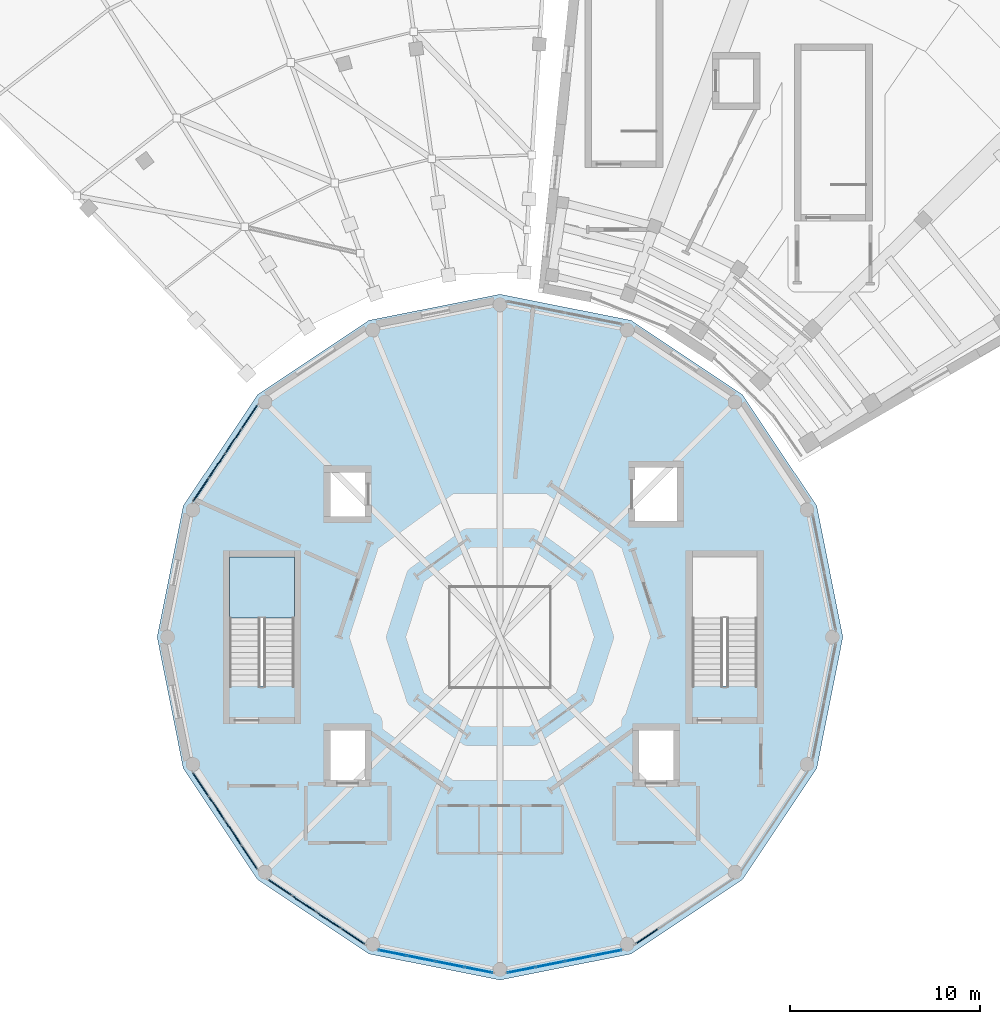
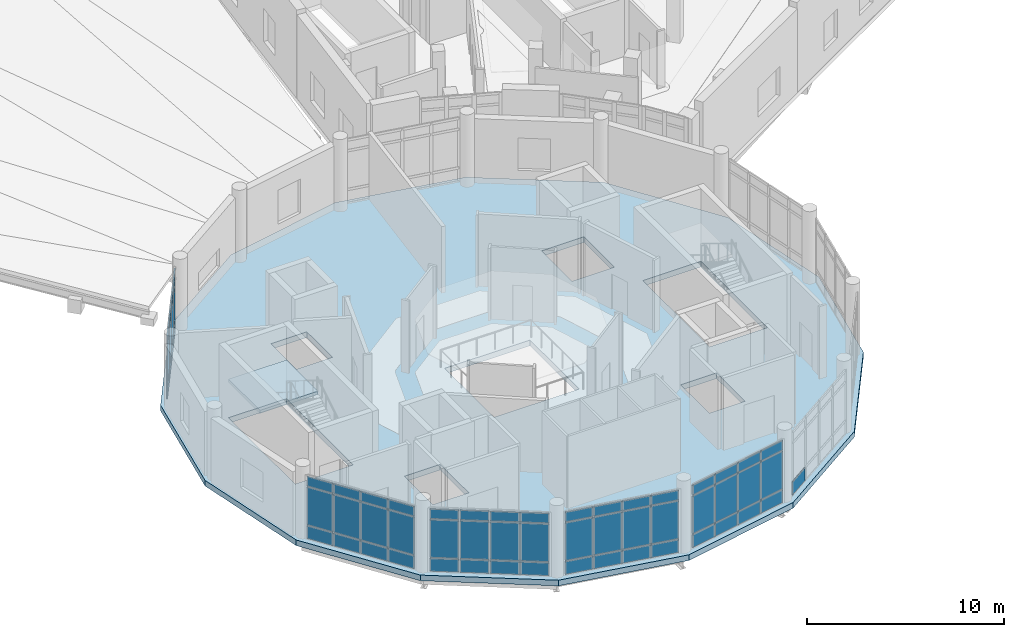
# One storey, part 16 of 27: 61 plates, 2 slabs, 7 elements without a shape of their own.
"""IFC4 building model written with IfcOpenShell, lengths in metres."""

from ifc_helpers import new_model, si_unit, direction, frame, origin, origin_2d, place, context, subcontext, project, spatial, polyline, rectangle, outline, extrude, material, layer, layer_set, type_object, element, aggregate, save


model = new_model("IFC4")

# Units and contexts
model_context = context("Model", 3, precision=1e-05, world=origin(), true_north=direction((0.0, 1.0)))
body_context = subcontext(model_context, "Body", "Model", "MODEL_VIEW")
ifc_project = project(units=[si_unit("LENGTHUNIT", "METRE"), si_unit("AREAUNIT", "SQUARE_METRE"), si_unit("VOLUMEUNIT", "CUBIC_METRE"), si_unit("PLANEANGLEUNIT", "RADIAN"), si_unit("MASSUNIT", "GRAM", prefix="KILO")], contexts=[model_context])

# Site, building, storey
site_placement = place(None, origin())
site = spatial("IfcSite", under=ifc_project, at=site_placement, CompositionType="ELEMENT")
building_placement = place(site_placement, origin())
building = spatial("IfcBuilding", under=site, at=building_placement, Name="Soyqirgoq Riverine Aquarium", CompositionType="ELEMENT")
storey_placement = place(building_placement, frame((0.0, 0.0, 19.800048828125)))
storey = spatial("IfcBuildingStorey", under=building, at=storey_placement, Name="L05", CompositionType="ELEMENT", Elevation=19.800048828125)

# Curtain wall, plates
ifc_material_1 = material(Name="Anodised aluminium thermally broken triple low-E glazing", Category="aluminium")
curtain_wall_type = type_object("IfcCurtainWallType", Name="CW_DrumGallery_Unitised", PredefinedType="NOTDEFINED", material=ifc_material_1)
curtain_wall_1_placement = place(storey_placement, origin())
curtain_wall_1 = element("IfcCurtainWall", 1, at=curtain_wall_1_placement, inside=storey, type_object=curtain_wall_type, Name="V1 L05 Curtain Wall 027", PredefinedType="NOTDEFINED")
ifc_material_2 = material(Name="Triple insulated laminated low-E glass", Category="glass")
ifc_layer_1 = layer(ifc_material_2, 0.0458984375)
ifc_layer_set_1 = layer_set([ifc_layer_1], Name="Triple insulated laminated low-E glass")
plate_type = type_object("IfcPlateType", Name="CWGlazedPanel_46", PredefinedType="CURTAIN_PANEL", material=ifc_layer_set_1)
plate_1_placement = place(storey_placement, frame((42.84619140625, 68.56103515625, 0.074951171875), z_axis=(0.0, 0.0, 1.0), x_axis=(-0.55556109542, -0.831475717779, 0.0)))
plate_1 = element("IfcPlate", 2, at=plate_1_placement, type_object=plate_type, Name="CW-01 panel 1.1", PredefinedType="CURTAIN_PANEL", context=body_context, shape_type="SweptSolid", body=[
    extrude(rectangle(XDim=1.449951171875, YDim=0.0458984375, at=origin_2d()), origin(), (0.0, 0.0, 1.0), 0.78759765625),
])
plate_2_placement = place(storey_placement, frame((42.84619140625, 68.56103515625, 0.9375), z_axis=(0.0, 0.0, 1.0), x_axis=(-0.55556109542, -0.831475717779, 0.0)))
plate_2 = element("IfcPlate", 3, at=plate_2_placement, type_object=plate_type, Name="CW-01 panel 1.2", PredefinedType="CURTAIN_PANEL", context=body_context, shape_type="SweptSolid", body=[
    extrude(rectangle(XDim=1.449951171875, YDim=0.0458984375, at=origin_2d()), origin(), (0.0, 0.0, 1.0), 2.324951171875),
])
plate_3_placement = place(storey_placement, frame((42.84619140625, 68.56103515625, 3.33740234375), z_axis=(0.0, 0.0, 1.0), x_axis=(-0.55556109542, -0.831475717779, 0.0)))
plate_3 = element("IfcPlate", 4, at=plate_3_placement, type_object=plate_type, Name="CW-01 panel 1.3", PredefinedType="CURTAIN_PANEL", context=body_context, shape_type="SweptSolid", body=[
    extrude(rectangle(XDim=1.449951171875, YDim=0.0458984375, at=origin_2d()), origin(), (0.0, 0.0, 1.0), 0.58740234375),
])
plate_4_placement = place(storey_placement, frame((41.99560546875, 67.287841796875, 0.074951171875), z_axis=(0.0, 0.0, 1.0), x_axis=(-0.55556109542, -0.831475717779, 0.0)))
plate_4 = element("IfcPlate", 5, at=plate_4_placement, type_object=plate_type, Name="CW-01 panel 2.1", PredefinedType="CURTAIN_PANEL", context=body_context, shape_type="SweptSolid", body=[
    extrude(rectangle(XDim=1.482421875, YDim=0.0458984375, at=origin_2d()), origin(), (0.0, 0.0, 1.0), 0.78759765625),
])
plate_5_placement = place(storey_placement, frame((41.99560546875, 67.287841796875, 0.9375), z_axis=(0.0, 0.0, 1.0), x_axis=(-0.55556109542, -0.831475717779, 0.0)))
plate_5 = element("IfcPlate", 6, at=plate_5_placement, type_object=plate_type, Name="CW-01 panel 2.2", PredefinedType="CURTAIN_PANEL", context=body_context, shape_type="SweptSolid", body=[
    extrude(rectangle(XDim=1.482421875, YDim=0.0458984375, at=origin_2d()), origin(), (0.0, 0.0, 1.0), 2.324951171875),
])
plate_6_placement = place(storey_placement, frame((41.99560546875, 67.287841796875, 3.33740234375), z_axis=(0.0, 0.0, 1.0), x_axis=(-0.55556109542, -0.831475717779, 0.0)))
plate_6 = element("IfcPlate", 7, at=plate_6_placement, type_object=plate_type, Name="CW-01 panel 2.3", PredefinedType="CURTAIN_PANEL", context=body_context, shape_type="SweptSolid", body=[
    extrude(rectangle(XDim=1.482421875, YDim=0.0458984375, at=origin_2d()), origin(), (0.0, 0.0, 1.0), 0.58740234375),
])
plate_7_placement = place(storey_placement, frame((41.135986328125, 66.001220703125, 0.074951171875), z_axis=(0.0, 0.0, 1.0), x_axis=(-0.55556109542, -0.831475717779, 0.0)))
plate_7 = element("IfcPlate", 8, at=plate_7_placement, type_object=plate_type, Name="CW-01 panel 3.1", PredefinedType="CURTAIN_PANEL", context=body_context, shape_type="SweptSolid", body=[
    extrude(rectangle(XDim=1.482421875, YDim=0.0458984375, at=origin_2d()), origin(), (0.0, 0.0, 1.0), 0.78759765625),
])
plate_8_placement = place(storey_placement, frame((41.135986328125, 66.001220703125, 0.9375), z_axis=(0.0, 0.0, 1.0), x_axis=(-0.55556109542, -0.831475717779, 0.0)))
plate_8 = element("IfcPlate", 9, at=plate_8_placement, type_object=plate_type, Name="CW-01 panel 3.2", PredefinedType="CURTAIN_PANEL", context=body_context, shape_type="SweptSolid", body=[
    extrude(rectangle(XDim=1.482421875, YDim=0.0458984375, at=origin_2d()), origin(), (0.0, 0.0, 1.0), 2.324951171875),
])
plate_9_placement = place(storey_placement, frame((41.135986328125, 66.001220703125, 3.33740234375), z_axis=(0.0, 0.0, 1.0), x_axis=(-0.55556109542, -0.831475717779, 0.0)))
plate_9 = element("IfcPlate", 10, at=plate_9_placement, type_object=plate_type, Name="CW-01 panel 3.3", PredefinedType="CURTAIN_PANEL", context=body_context, shape_type="SweptSolid", body=[
    extrude(rectangle(XDim=1.482421875, YDim=0.0458984375, at=origin_2d()), origin(), (0.0, 0.0, 1.0), 0.58740234375),
])
plate_10_placement = place(storey_placement, frame((40.28515625, 64.72802734375, 0.074951171875), z_axis=(0.0, 0.0, 1.0), x_axis=(-0.55556109542, -0.831475717779, 0.0)))
plate_10 = element("IfcPlate", 11, at=plate_10_placement, type_object=plate_type, Name="CW-01 panel 4.1", PredefinedType="CURTAIN_PANEL", context=body_context, shape_type="SweptSolid", body=[
    extrude(rectangle(XDim=1.449951171875, YDim=0.0458984375, at=origin_2d()), origin(), (0.0, 0.0, 1.0), 0.78759765625),
])
plate_11_placement = place(storey_placement, frame((40.28515625, 64.72802734375, 0.9375), z_axis=(0.0, 0.0, 1.0), x_axis=(-0.55556109542, -0.831475717779, 0.0)))
plate_11 = element("IfcPlate", 12, at=plate_11_placement, type_object=plate_type, Name="CW-01 panel 4.2", PredefinedType="CURTAIN_PANEL", context=body_context, shape_type="SweptSolid", body=[
    extrude(rectangle(XDim=1.449951171875, YDim=0.0458984375, at=origin_2d()), origin(), (0.0, 0.0, 1.0), 2.324951171875),
])
plate_12_placement = place(storey_placement, frame((40.28515625, 64.72802734375, 3.33740234375), z_axis=(0.0, 0.0, 1.0), x_axis=(-0.55556109542, -0.831475717779, 0.0)))
plate_12 = element("IfcPlate", 13, at=plate_12_placement, type_object=plate_type, Name="CW-01 panel 4.3", PredefinedType="CURTAIN_PANEL", context=body_context, shape_type="SweptSolid", body=[
    extrude(rectangle(XDim=1.449951171875, YDim=0.0458984375, at=origin_2d()), origin(), (0.0, 0.0, 1.0), 0.58740234375),
])
aggregate(curtain_wall_1, [plate_1, plate_2, plate_3, plate_4, plate_5, plate_6, plate_7, plate_8, plate_9, plate_10, plate_11, plate_12])

curtain_wall_2_placement = place(storey_placement, origin())
curtain_wall_2 = element("IfcCurtainWall", 14, at=curtain_wall_2_placement, inside=storey, type_object=curtain_wall_type, Name="V1 L05 Curtain Wall 038", PredefinedType="NOTDEFINED")
plate_13_placement = place(storey_placement, frame((40.28515625, 49.27197265625, 0.074951171875), z_axis=(0.0, 0.0, 1.0), x_axis=(0.55556109542, -0.831475717779, 0.0)))
plate_13 = element("IfcPlate", 15, at=plate_13_placement, type_object=plate_type, Name="CW-01 panel 1.1", PredefinedType="CURTAIN_PANEL", context=body_context, shape_type="SweptSolid", body=[
    extrude(rectangle(XDim=1.449951171875, YDim=0.0458984375, at=origin_2d()), origin(), (0.0, 0.0, 1.0), 0.78759765625),
])
plate_14_placement = place(storey_placement, frame((40.28515625, 49.27197265625, 0.9375), z_axis=(0.0, 0.0, 1.0), x_axis=(0.55556109542, -0.831475717779, 0.0)))
plate_14 = element("IfcPlate", 16, at=plate_14_placement, type_object=plate_type, Name="CW-01 panel 1.2", PredefinedType="CURTAIN_PANEL", context=body_context, shape_type="SweptSolid", body=[
    extrude(rectangle(XDim=1.449951171875, YDim=0.0458984375, at=origin_2d()), origin(), (0.0, 0.0, 1.0), 2.324951171875),
])
plate_15_placement = place(storey_placement, frame((40.28515625, 49.27197265625, 3.33740234375), z_axis=(0.0, 0.0, 1.0), x_axis=(0.55556109542, -0.831475717779, 0.0)))
plate_15 = element("IfcPlate", 17, at=plate_15_placement, type_object=plate_type, Name="CW-01 panel 1.3", PredefinedType="CURTAIN_PANEL", context=body_context, shape_type="SweptSolid", body=[
    extrude(rectangle(XDim=1.449951171875, YDim=0.0458984375, at=origin_2d()), origin(), (0.0, 0.0, 1.0), 0.58740234375),
])
plate_16_placement = place(storey_placement, frame((41.135986328125, 47.998779296875, 0.074951171875), z_axis=(0.0, 0.0, 1.0), x_axis=(0.55556109542, -0.831475717779, 0.0)))
plate_16 = element("IfcPlate", 18, at=plate_16_placement, type_object=plate_type, Name="CW-01 panel 2.1", PredefinedType="CURTAIN_PANEL", context=body_context, shape_type="SweptSolid", body=[
    extrude(rectangle(XDim=1.482421875, YDim=0.0458984375, at=origin_2d()), origin(), (0.0, 0.0, 1.0), 0.78759765625),
])
plate_17_placement = place(storey_placement, frame((41.135986328125, 47.998779296875, 0.9375), z_axis=(0.0, 0.0, 1.0), x_axis=(0.55556109542, -0.831475717779, 0.0)))
plate_17 = element("IfcPlate", 19, at=plate_17_placement, type_object=plate_type, Name="CW-01 panel 2.2", PredefinedType="CURTAIN_PANEL", context=body_context, shape_type="SweptSolid", body=[
    extrude(rectangle(XDim=1.482421875, YDim=0.0458984375, at=origin_2d()), origin(), (0.0, 0.0, 1.0), 2.324951171875),
])
plate_18_placement = place(storey_placement, frame((41.135986328125, 47.998779296875, 3.33740234375), z_axis=(0.0, 0.0, 1.0), x_axis=(0.55556109542, -0.831475717779, 0.0)))
plate_18 = element("IfcPlate", 20, at=plate_18_placement, type_object=plate_type, Name="CW-01 panel 2.3", PredefinedType="CURTAIN_PANEL", context=body_context, shape_type="SweptSolid", body=[
    extrude(rectangle(XDim=1.482421875, YDim=0.0458984375, at=origin_2d()), origin(), (0.0, 0.0, 1.0), 0.58740234375),
])
plate_19_placement = place(storey_placement, frame((41.99560546875, 46.712158203125, 0.074951171875), z_axis=(0.0, 0.0, 1.0), x_axis=(0.55556109542, -0.831475717779, 0.0)))
plate_19 = element("IfcPlate", 21, at=plate_19_placement, type_object=plate_type, Name="CW-01 panel 3.1", PredefinedType="CURTAIN_PANEL", context=body_context, shape_type="SweptSolid", body=[
    extrude(rectangle(XDim=1.482421875, YDim=0.0458984375, at=origin_2d()), origin(), (0.0, 0.0, 1.0), 0.78759765625),
])
plate_20_placement = place(storey_placement, frame((41.99560546875, 46.712158203125, 0.9375), z_axis=(0.0, 0.0, 1.0), x_axis=(0.55556109542, -0.831475717779, 0.0)))
plate_20 = element("IfcPlate", 22, at=plate_20_placement, type_object=plate_type, Name="CW-01 panel 3.2", PredefinedType="CURTAIN_PANEL", context=body_context, shape_type="SweptSolid", body=[
    extrude(rectangle(XDim=1.482421875, YDim=0.0458984375, at=origin_2d()), origin(), (0.0, 0.0, 1.0), 2.324951171875),
])
plate_21_placement = place(storey_placement, frame((41.99560546875, 46.712158203125, 3.33740234375), z_axis=(0.0, 0.0, 1.0), x_axis=(0.55556109542, -0.831475717779, 0.0)))
plate_21 = element("IfcPlate", 23, at=plate_21_placement, type_object=plate_type, Name="CW-01 panel 3.3", PredefinedType="CURTAIN_PANEL", context=body_context, shape_type="SweptSolid", body=[
    extrude(rectangle(XDim=1.482421875, YDim=0.0458984375, at=origin_2d()), origin(), (0.0, 0.0, 1.0), 0.58740234375),
])
plate_22_placement = place(storey_placement, frame((42.84619140625, 45.43896484375, 0.074951171875), z_axis=(0.0, 0.0, 1.0), x_axis=(0.55556109542, -0.831475717779, 0.0)))
plate_22 = element("IfcPlate", 24, at=plate_22_placement, type_object=plate_type, Name="CW-01 panel 4.1", PredefinedType="CURTAIN_PANEL", context=body_context, shape_type="SweptSolid", body=[
    extrude(rectangle(XDim=1.449951171875, YDim=0.0458984375, at=origin_2d()), origin(), (0.0, 0.0, 1.0), 0.78759765625),
])
plate_23_placement = place(storey_placement, frame((42.84619140625, 45.43896484375, 0.9375), z_axis=(0.0, 0.0, 1.0), x_axis=(0.55556109542, -0.831475717779, 0.0)))
plate_23 = element("IfcPlate", 25, at=plate_23_placement, type_object=plate_type, Name="CW-01 panel 4.2", PredefinedType="CURTAIN_PANEL", context=body_context, shape_type="SweptSolid", body=[
    extrude(rectangle(XDim=1.449951171875, YDim=0.0458984375, at=origin_2d()), origin(), (0.0, 0.0, 1.0), 2.324951171875),
])
plate_24_placement = place(storey_placement, frame((42.84619140625, 45.43896484375, 3.33740234375), z_axis=(0.0, 0.0, 1.0), x_axis=(0.55556109542, -0.831475717779, 0.0)))
plate_24 = element("IfcPlate", 26, at=plate_24_placement, type_object=plate_type, Name="CW-01 panel 4.3", PredefinedType="CURTAIN_PANEL", context=body_context, shape_type="SweptSolid", body=[
    extrude(rectangle(XDim=1.449951171875, YDim=0.0458984375, at=origin_2d()), origin(), (0.0, 0.0, 1.0), 0.58740234375),
])
aggregate(curtain_wall_2, [plate_13, plate_14, plate_15, plate_16, plate_17, plate_18, plate_19, plate_20, plate_21, plate_22, plate_23, plate_24])

curtain_wall_3_placement = place(storey_placement, origin())
curtain_wall_3 = element("IfcCurtainWall", 27, at=curtain_wall_3_placement, inside=storey, type_object=curtain_wall_type, Name="V1 L05 Curtain Wall 045", PredefinedType="NOTDEFINED")
plate_25_placement = place(storey_placement, frame((44.43896484375, 43.84619140625, 0.074951171875), z_axis=(0.0, 0.0, 1.0), x_axis=(0.831475717779, -0.55556109542, 0.0)))
plate_25 = element("IfcPlate", 28, at=plate_25_placement, type_object=plate_type, Name="CW-01 panel 1.1", PredefinedType="CURTAIN_PANEL", context=body_context, shape_type="SweptSolid", body=[
    extrude(rectangle(XDim=1.449951171875, YDim=0.0458984375, at=origin_2d()), origin(), (0.0, 0.0, 1.0), 0.78759765625),
])
plate_26_placement = place(storey_placement, frame((44.43896484375, 43.84619140625, 0.9375), z_axis=(0.0, 0.0, 1.0), x_axis=(0.831475717779, -0.55556109542, 0.0)))
plate_26 = element("IfcPlate", 29, at=plate_26_placement, type_object=plate_type, Name="CW-01 panel 1.2", PredefinedType="CURTAIN_PANEL", context=body_context, shape_type="SweptSolid", body=[
    extrude(rectangle(XDim=1.449951171875, YDim=0.0458984375, at=origin_2d()), origin(), (0.0, 0.0, 1.0), 2.324951171875),
])
plate_27_placement = place(storey_placement, frame((44.43896484375, 43.84619140625, 3.33740234375), z_axis=(0.0, 0.0, 1.0), x_axis=(0.831475717779, -0.55556109542, 0.0)))
plate_27 = element("IfcPlate", 30, at=plate_27_placement, type_object=plate_type, Name="CW-01 panel 1.3", PredefinedType="CURTAIN_PANEL", context=body_context, shape_type="SweptSolid", body=[
    extrude(rectangle(XDim=1.449951171875, YDim=0.0458984375, at=origin_2d()), origin(), (0.0, 0.0, 1.0), 0.58740234375),
])
plate_28_placement = place(storey_placement, frame((45.712158203125, 42.99560546875, 0.074951171875), z_axis=(0.0, 0.0, 1.0), x_axis=(0.831475717779, -0.55556109542, 0.0)))
plate_28 = element("IfcPlate", 31, at=plate_28_placement, type_object=plate_type, Name="CW-01 panel 2.1", PredefinedType="CURTAIN_PANEL", context=body_context, shape_type="SweptSolid", body=[
    extrude(rectangle(XDim=1.482421875, YDim=0.0458984375, at=origin_2d()), origin(), (0.0, 0.0, 1.0), 0.78759765625),
])
plate_29_placement = place(storey_placement, frame((45.712158203125, 42.99560546875, 0.9375), z_axis=(0.0, 0.0, 1.0), x_axis=(0.831475717779, -0.55556109542, 0.0)))
plate_29 = element("IfcPlate", 32, at=plate_29_placement, type_object=plate_type, Name="CW-01 panel 2.2", PredefinedType="CURTAIN_PANEL", context=body_context, shape_type="SweptSolid", body=[
    extrude(rectangle(XDim=1.482421875, YDim=0.0458984375, at=origin_2d()), origin(), (0.0, 0.0, 1.0), 2.324951171875),
])
plate_30_placement = place(storey_placement, frame((45.712158203125, 42.99560546875, 3.33740234375), z_axis=(0.0, 0.0, 1.0), x_axis=(0.831475717779, -0.55556109542, 0.0)))
plate_30 = element("IfcPlate", 33, at=plate_30_placement, type_object=plate_type, Name="CW-01 panel 2.3", PredefinedType="CURTAIN_PANEL", context=body_context, shape_type="SweptSolid", body=[
    extrude(rectangle(XDim=1.482421875, YDim=0.0458984375, at=origin_2d()), origin(), (0.0, 0.0, 1.0), 0.58740234375),
])
plate_31_placement = place(storey_placement, frame((46.998779296875, 42.135986328125, 0.074951171875), z_axis=(0.0, 0.0, 1.0), x_axis=(0.831475717779, -0.55556109542, 0.0)))
plate_31 = element("IfcPlate", 34, at=plate_31_placement, type_object=plate_type, Name="CW-01 panel 3.1", PredefinedType="CURTAIN_PANEL", context=body_context, shape_type="SweptSolid", body=[
    extrude(rectangle(XDim=1.482421875, YDim=0.0458984375, at=origin_2d()), origin(), (0.0, 0.0, 1.0), 0.78759765625),
])
plate_32_placement = place(storey_placement, frame((46.998779296875, 42.135986328125, 0.9375), z_axis=(0.0, 0.0, 1.0), x_axis=(0.831475717779, -0.55556109542, 0.0)))
plate_32 = element("IfcPlate", 35, at=plate_32_placement, type_object=plate_type, Name="CW-01 panel 3.2", PredefinedType="CURTAIN_PANEL", context=body_context, shape_type="SweptSolid", body=[
    extrude(rectangle(XDim=1.482421875, YDim=0.0458984375, at=origin_2d()), origin(), (0.0, 0.0, 1.0), 2.324951171875),
])
plate_33_placement = place(storey_placement, frame((46.998779296875, 42.135986328125, 3.33740234375), z_axis=(0.0, 0.0, 1.0), x_axis=(0.831475717779, -0.55556109542, 0.0)))
plate_33 = element("IfcPlate", 36, at=plate_33_placement, type_object=plate_type, Name="CW-01 panel 3.3", PredefinedType="CURTAIN_PANEL", context=body_context, shape_type="SweptSolid", body=[
    extrude(rectangle(XDim=1.482421875, YDim=0.0458984375, at=origin_2d()), origin(), (0.0, 0.0, 1.0), 0.58740234375),
])
plate_34_placement = place(storey_placement, frame((48.27197265625, 41.28515625, 0.074951171875), z_axis=(0.0, 0.0, 1.0), x_axis=(0.831475717779, -0.55556109542, 0.0)))
plate_34 = element("IfcPlate", 37, at=plate_34_placement, type_object=plate_type, Name="CW-01 panel 4.1", PredefinedType="CURTAIN_PANEL", context=body_context, shape_type="SweptSolid", body=[
    extrude(rectangle(XDim=1.449951171875, YDim=0.0458984375, at=origin_2d()), origin(), (0.0, 0.0, 1.0), 0.78759765625),
])
plate_35_placement = place(storey_placement, frame((48.27197265625, 41.28515625, 0.9375), z_axis=(0.0, 0.0, 1.0), x_axis=(0.831475717779, -0.55556109542, 0.0)))
plate_35 = element("IfcPlate", 38, at=plate_35_placement, type_object=plate_type, Name="CW-01 panel 4.2", PredefinedType="CURTAIN_PANEL", context=body_context, shape_type="SweptSolid", body=[
    extrude(rectangle(XDim=1.449951171875, YDim=0.0458984375, at=origin_2d()), origin(), (0.0, 0.0, 1.0), 2.324951171875),
])
plate_36_placement = place(storey_placement, frame((48.27197265625, 41.28515625, 3.33740234375), z_axis=(0.0, 0.0, 1.0), x_axis=(0.831475717779, -0.55556109542, 0.0)))
plate_36 = element("IfcPlate", 39, at=plate_36_placement, type_object=plate_type, Name="CW-01 panel 4.3", PredefinedType="CURTAIN_PANEL", context=body_context, shape_type="SweptSolid", body=[
    extrude(rectangle(XDim=1.449951171875, YDim=0.0458984375, at=origin_2d()), origin(), (0.0, 0.0, 1.0), 0.58740234375),
])
aggregate(curtain_wall_3, [plate_25, plate_26, plate_27, plate_28, plate_29, plate_30, plate_31, plate_32, plate_33, plate_34, plate_35, plate_36])

curtain_wall_4_placement = place(storey_placement, origin())
curtain_wall_4 = element("IfcCurtainWall", 40, at=curtain_wall_4_placement, inside=storey, type_object=curtain_wall_type, Name="V1 L05 Curtain Wall 052", PredefinedType="NOTDEFINED")
plate_37_placement = place(storey_placement, frame((50.3525390625, 40.42333984375, 0.074951171875), z_axis=(0.0, 0.0, 1.0), x_axis=(0.980787663396, -0.19507834152, 0.0)))
plate_37 = element("IfcPlate", 41, at=plate_37_placement, type_object=plate_type, Name="CW-01 panel 1.1", PredefinedType="CURTAIN_PANEL", context=body_context, shape_type="SweptSolid", body=[
    extrude(rectangle(XDim=1.449951171875, YDim=0.0458984375, at=origin_2d()), origin(), (0.0, 0.0, 1.0), 0.78759765625),
])
plate_38_placement = place(storey_placement, frame((50.3525390625, 40.42333984375, 0.9375), z_axis=(0.0, 0.0, 1.0), x_axis=(0.980787663396, -0.19507834152, 0.0)))
plate_38 = element("IfcPlate", 42, at=plate_38_placement, type_object=plate_type, Name="CW-01 panel 1.2", PredefinedType="CURTAIN_PANEL", context=body_context, shape_type="SweptSolid", body=[
    extrude(rectangle(XDim=1.449951171875, YDim=0.0458984375, at=origin_2d()), origin(), (0.0, 0.0, 1.0), 2.324951171875),
])
plate_39_placement = place(storey_placement, frame((50.3525390625, 40.42333984375, 3.33740234375), z_axis=(0.0, 0.0, 1.0), x_axis=(0.980787663396, -0.19507834152, 0.0)))
plate_39 = element("IfcPlate", 43, at=plate_39_placement, type_object=plate_type, Name="CW-01 panel 1.3", PredefinedType="CURTAIN_PANEL", context=body_context, shape_type="SweptSolid", body=[
    extrude(rectangle(XDim=1.449951171875, YDim=0.0458984375, at=origin_2d()), origin(), (0.0, 0.0, 1.0), 0.58740234375),
])
plate_40_placement = place(storey_placement, frame((51.8544921875, 40.12451171875, 0.074951171875), z_axis=(0.0, 0.0, 1.0), x_axis=(0.980787663396, -0.19507834152, 0.0)))
plate_40 = element("IfcPlate", 44, at=plate_40_placement, type_object=plate_type, Name="CW-01 panel 2.1", PredefinedType="CURTAIN_PANEL", context=body_context, shape_type="SweptSolid", body=[
    extrude(rectangle(XDim=1.482421875, YDim=0.0458984375, at=origin_2d()), origin(), (0.0, 0.0, 1.0), 0.78759765625),
])
plate_41_placement = place(storey_placement, frame((51.8544921875, 40.12451171875, 0.9375), z_axis=(0.0, 0.0, 1.0), x_axis=(0.980787663396, -0.19507834152, 0.0)))
plate_41 = element("IfcPlate", 45, at=plate_41_placement, type_object=plate_type, Name="CW-01 panel 2.2", PredefinedType="CURTAIN_PANEL", context=body_context, shape_type="SweptSolid", body=[
    extrude(rectangle(XDim=1.482421875, YDim=0.0458984375, at=origin_2d()), origin(), (0.0, 0.0, 1.0), 2.324951171875),
])
plate_42_placement = place(storey_placement, frame((51.8544921875, 40.12451171875, 3.33740234375), z_axis=(0.0, 0.0, 1.0), x_axis=(0.980787663396, -0.19507834152, 0.0)))
plate_42 = element("IfcPlate", 46, at=plate_42_placement, type_object=plate_type, Name="CW-01 panel 2.3", PredefinedType="CURTAIN_PANEL", context=body_context, shape_type="SweptSolid", body=[
    extrude(rectangle(XDim=1.482421875, YDim=0.0458984375, at=origin_2d()), origin(), (0.0, 0.0, 1.0), 0.58740234375),
])
plate_43_placement = place(storey_placement, frame((53.3720703125, 39.82275390625, 0.074951171875), z_axis=(0.0, 0.0, 1.0), x_axis=(0.980787663396, -0.19507834152, 0.0)))
plate_43 = element("IfcPlate", 47, at=plate_43_placement, type_object=plate_type, Name="CW-01 panel 3.1", PredefinedType="CURTAIN_PANEL", context=body_context, shape_type="SweptSolid", body=[
    extrude(rectangle(XDim=1.482421875, YDim=0.0458984375, at=origin_2d()), origin(), (0.0, 0.0, 1.0), 0.78759765625),
])
plate_44_placement = place(storey_placement, frame((53.3720703125, 39.82275390625, 0.9375), z_axis=(0.0, 0.0, 1.0), x_axis=(0.980787663396, -0.19507834152, 0.0)))
plate_44 = element("IfcPlate", 48, at=plate_44_placement, type_object=plate_type, Name="CW-01 panel 3.2", PredefinedType="CURTAIN_PANEL", context=body_context, shape_type="SweptSolid", body=[
    extrude(rectangle(XDim=1.482421875, YDim=0.0458984375, at=origin_2d()), origin(), (0.0, 0.0, 1.0), 2.324951171875),
])
plate_45_placement = place(storey_placement, frame((53.3720703125, 39.82275390625, 3.33740234375), z_axis=(0.0, 0.0, 1.0), x_axis=(0.980787663396, -0.19507834152, 0.0)))
plate_45 = element("IfcPlate", 49, at=plate_45_placement, type_object=plate_type, Name="CW-01 panel 3.3", PredefinedType="CURTAIN_PANEL", context=body_context, shape_type="SweptSolid", body=[
    extrude(rectangle(XDim=1.482421875, YDim=0.0458984375, at=origin_2d()), origin(), (0.0, 0.0, 1.0), 0.58740234375),
])
plate_46_placement = place(storey_placement, frame((54.873779296875, 39.52392578125, 0.074951171875), z_axis=(0.0, 0.0, 1.0), x_axis=(0.980787663396, -0.19507834152, 0.0)))
plate_46 = element("IfcPlate", 50, at=plate_46_placement, type_object=plate_type, Name="CW-01 panel 4.1", PredefinedType="CURTAIN_PANEL", context=body_context, shape_type="SweptSolid", body=[
    extrude(rectangle(XDim=1.449951171875, YDim=0.0458984375, at=origin_2d()), origin(), (0.0, 0.0, 1.0), 0.78759765625),
])
plate_47_placement = place(storey_placement, frame((54.873779296875, 39.52392578125, 0.9375), z_axis=(0.0, 0.0, 1.0), x_axis=(0.980787663396, -0.19507834152, 0.0)))
plate_47 = element("IfcPlate", 51, at=plate_47_placement, type_object=plate_type, Name="CW-01 panel 4.2", PredefinedType="CURTAIN_PANEL", context=body_context, shape_type="SweptSolid", body=[
    extrude(rectangle(XDim=1.449951171875, YDim=0.0458984375, at=origin_2d()), origin(), (0.0, 0.0, 1.0), 2.324951171875),
])
plate_48_placement = place(storey_placement, frame((54.873779296875, 39.52392578125, 3.33740234375), z_axis=(0.0, 0.0, 1.0), x_axis=(0.980787663396, -0.19507834152, 0.0)))
plate_48 = element("IfcPlate", 52, at=plate_48_placement, type_object=plate_type, Name="CW-01 panel 4.3", PredefinedType="CURTAIN_PANEL", context=body_context, shape_type="SweptSolid", body=[
    extrude(rectangle(XDim=1.449951171875, YDim=0.0458984375, at=origin_2d()), origin(), (0.0, 0.0, 1.0), 0.58740234375),
])
aggregate(curtain_wall_4, [plate_37, plate_38, plate_39, plate_40, plate_41, plate_42, plate_43, plate_44, plate_45, plate_46, plate_47, plate_48])

curtain_wall_5_placement = place(storey_placement, origin())
curtain_wall_5 = element("IfcCurtainWall", 53, at=curtain_wall_5_placement, inside=storey, type_object=curtain_wall_type, Name="V1 L05 Curtain Wall 059", PredefinedType="NOTDEFINED")
plate_49_placement = place(storey_placement, frame((57.126220703125, 39.52392578125, 0.074951171875), z_axis=(0.0, 0.0, 1.0), x_axis=(0.980787663396, 0.19507834152, 0.0)))
plate_49 = element("IfcPlate", 54, at=plate_49_placement, type_object=plate_type, Name="CW-01 panel 1.1", PredefinedType="CURTAIN_PANEL", context=body_context, shape_type="SweptSolid", body=[
    extrude(rectangle(XDim=1.449951171875, YDim=0.0458984375, at=origin_2d()), origin(), (0.0, 0.0, 1.0), 0.78759765625),
])
plate_50_placement = place(storey_placement, frame((57.126220703125, 39.52392578125, 0.9375), z_axis=(0.0, 0.0, 1.0), x_axis=(0.980787663396, 0.19507834152, 0.0)))
plate_50 = element("IfcPlate", 55, at=plate_50_placement, type_object=plate_type, Name="CW-01 panel 1.2", PredefinedType="CURTAIN_PANEL", context=body_context, shape_type="SweptSolid", body=[
    extrude(rectangle(XDim=1.449951171875, YDim=0.0458984375, at=origin_2d()), origin(), (0.0, 0.0, 1.0), 2.324951171875),
])
plate_51_placement = place(storey_placement, frame((57.126220703125, 39.52392578125, 3.33740234375), z_axis=(0.0, 0.0, 1.0), x_axis=(0.980787663396, 0.19507834152, 0.0)))
plate_51 = element("IfcPlate", 56, at=plate_51_placement, type_object=plate_type, Name="CW-01 panel 1.3", PredefinedType="CURTAIN_PANEL", context=body_context, shape_type="SweptSolid", body=[
    extrude(rectangle(XDim=1.449951171875, YDim=0.0458984375, at=origin_2d()), origin(), (0.0, 0.0, 1.0), 0.58740234375),
])
plate_52_placement = place(storey_placement, frame((58.6279296875, 39.82275390625, 0.074951171875), z_axis=(0.0, 0.0, 1.0), x_axis=(0.980787663396, 0.19507834152, 0.0)))
plate_52 = element("IfcPlate", 57, at=plate_52_placement, type_object=plate_type, Name="CW-01 panel 2.1", PredefinedType="CURTAIN_PANEL", context=body_context, shape_type="SweptSolid", body=[
    extrude(rectangle(XDim=1.482421875, YDim=0.0458984375, at=origin_2d()), origin(), (0.0, 0.0, 1.0), 0.78759765625),
])
plate_53_placement = place(storey_placement, frame((58.6279296875, 39.82275390625, 0.9375), z_axis=(0.0, 0.0, 1.0), x_axis=(0.980787663396, 0.19507834152, 0.0)))
plate_53 = element("IfcPlate", 58, at=plate_53_placement, type_object=plate_type, Name="CW-01 panel 2.2", PredefinedType="CURTAIN_PANEL", context=body_context, shape_type="SweptSolid", body=[
    extrude(rectangle(XDim=1.482421875, YDim=0.0458984375, at=origin_2d()), origin(), (0.0, 0.0, 1.0), 2.324951171875),
])
plate_54_placement = place(storey_placement, frame((58.6279296875, 39.82275390625, 3.33740234375), z_axis=(0.0, 0.0, 1.0), x_axis=(0.980787663396, 0.19507834152, 0.0)))
plate_54 = element("IfcPlate", 59, at=plate_54_placement, type_object=plate_type, Name="CW-01 panel 2.3", PredefinedType="CURTAIN_PANEL", context=body_context, shape_type="SweptSolid", body=[
    extrude(rectangle(XDim=1.482421875, YDim=0.0458984375, at=origin_2d()), origin(), (0.0, 0.0, 1.0), 0.58740234375),
])
plate_55_placement = place(storey_placement, frame((60.1455078125, 40.12451171875, 0.074951171875), z_axis=(0.0, 0.0, 1.0), x_axis=(0.980787663396, 0.19507834152, 0.0)))
plate_55 = element("IfcPlate", 60, at=plate_55_placement, type_object=plate_type, Name="CW-01 panel 3.1", PredefinedType="CURTAIN_PANEL", context=body_context, shape_type="SweptSolid", body=[
    extrude(rectangle(XDim=1.482421875, YDim=0.0458984375, at=origin_2d()), origin(), (0.0, 0.0, 1.0), 0.78759765625),
])
plate_56_placement = place(storey_placement, frame((60.1455078125, 40.12451171875, 0.9375), z_axis=(0.0, 0.0, 1.0), x_axis=(0.980787663396, 0.19507834152, 0.0)))
plate_56 = element("IfcPlate", 61, at=plate_56_placement, type_object=plate_type, Name="CW-01 panel 3.2", PredefinedType="CURTAIN_PANEL", context=body_context, shape_type="SweptSolid", body=[
    extrude(rectangle(XDim=1.482421875, YDim=0.0458984375, at=origin_2d()), origin(), (0.0, 0.0, 1.0), 2.324951171875),
])
plate_57_placement = place(storey_placement, frame((60.1455078125, 40.12451171875, 3.33740234375), z_axis=(0.0, 0.0, 1.0), x_axis=(0.980787663396, 0.19507834152, 0.0)))
plate_57 = element("IfcPlate", 62, at=plate_57_placement, type_object=plate_type, Name="CW-01 panel 3.3", PredefinedType="CURTAIN_PANEL", context=body_context, shape_type="SweptSolid", body=[
    extrude(rectangle(XDim=1.482421875, YDim=0.0458984375, at=origin_2d()), origin(), (0.0, 0.0, 1.0), 0.58740234375),
])
plate_58_placement = place(storey_placement, frame((61.6474609375, 40.42333984375, 0.074951171875), z_axis=(0.0, 0.0, 1.0), x_axis=(0.980787663396, 0.19507834152, 0.0)))
plate_58 = element("IfcPlate", 63, at=plate_58_placement, type_object=plate_type, Name="CW-01 panel 4.1", PredefinedType="CURTAIN_PANEL", context=body_context, shape_type="SweptSolid", body=[
    extrude(rectangle(XDim=1.449951171875, YDim=0.0458984375, at=origin_2d()), origin(), (0.0, 0.0, 1.0), 0.78759765625),
])
plate_59_placement = place(storey_placement, frame((61.6474609375, 40.42333984375, 0.9375), z_axis=(0.0, 0.0, 1.0), x_axis=(0.980787663396, 0.19507834152, 0.0)))
plate_59 = element("IfcPlate", 64, at=plate_59_placement, type_object=plate_type, Name="CW-01 panel 4.2", PredefinedType="CURTAIN_PANEL", context=body_context, shape_type="SweptSolid", body=[
    extrude(rectangle(XDim=1.449951171875, YDim=0.0458984375, at=origin_2d()), origin(), (0.0, 0.0, 1.0), 2.324951171875),
])
plate_60_placement = place(storey_placement, frame((61.6474609375, 40.42333984375, 3.33740234375), z_axis=(0.0, 0.0, 1.0), x_axis=(0.980787663396, 0.19507834152, 0.0)))
plate_60 = element("IfcPlate", 65, at=plate_60_placement, type_object=plate_type, Name="CW-01 panel 4.3", PredefinedType="CURTAIN_PANEL", context=body_context, shape_type="SweptSolid", body=[
    extrude(rectangle(XDim=1.449951171875, YDim=0.0458984375, at=origin_2d()), origin(), (0.0, 0.0, 1.0), 0.58740234375),
])
aggregate(curtain_wall_5, [plate_49, plate_50, plate_51, plate_52, plate_53, plate_54, plate_55, plate_56, plate_57, plate_58, plate_59, plate_60])

# Curtain wall, plate
curtain_wall_6_placement = place(storey_placement, origin())
curtain_wall_6 = element("IfcCurtainWall", 66, at=curtain_wall_6_placement, inside=storey, type_object=curtain_wall_type, Name="V1 L05 Curtain Wall 064", PredefinedType="NOTDEFINED")
plate_61_placement = place(storey_placement, frame((63.72802734375, 41.28515625, 0.074951171875), z_axis=(0.0, 0.0, 1.0), x_axis=(0.831475717779, 0.55556109542, 0.0)))
plate_61 = element("IfcPlate", 67, at=plate_61_placement, type_object=plate_type, Name="CW-01 panel 1.1", PredefinedType="CURTAIN_PANEL", context=body_context, shape_type="SweptSolid", body=[
    extrude(rectangle(XDim=1.449951171875, YDim=0.0458984375, at=origin_2d()), origin(), (0.0, 0.0, 1.0), 0.78759765625),
])
aggregate(curtain_wall_6, [plate_61])

# Stair, slab
ifc_material_3 = material(Name="Concrete C35/45", Category="concrete")
stair_type = type_object("IfcStairType", Name="CoreDoglegStair_RC", PredefinedType="HALF_TURN_STAIR", material=ifc_material_3)
stair_placement = place(storey_placement, origin())
stair = element("IfcStair", 68, at=stair_placement, inside=storey, type_object=stair_type, Name="L05 Enclosed Exit Stair ST-9", PredefinedType="HALF_TURN_STAIR")
ifc_material_4 = material(Name="Concrete C35/45", Category="concrete")
ifc_layer_2 = layer(ifc_material_4, 0.199951171875)
ifc_layer_set_2 = layer_set([ifc_layer_2], Name="Concrete C35/45")
slab_type_1 = type_object("IfcSlabType", Name="CoreStairLanding_RC", PredefinedType="LANDING", material=ifc_layer_set_2)
slab_1_placement = place(storey_placement, frame((0.0, 0.0, 2.199951171875)))
slab_1 = element("IfcSlab", 69, at=slab_1_placement, type_object=slab_type_1, Name="ST-9 landing 1", PredefinedType="LANDING", context=body_context, shape_type="SweptSolid", body=[
    extrude(outline(polyline([(45.199951171875, 58.0), (45.199951171875, 61.199951171875), (41.800048828125, 61.199951171875), (41.800048828125, 58.0), (45.199951171875, 58.0)])), origin(), (0.0, 0.0, 1.0), 0.199951171875),
])
aggregate(stair, [slab_1])

# Slab
ifc_material_5 = material(Name="Concrete C40/50", Category="concrete")
ifc_layer_3 = layer(ifc_material_5, 0.35009765625)
ifc_layer_set_3 = layer_set([ifc_layer_3], Name="Concrete C40/50")
slab_type_2 = type_object("IfcSlabType", Name="FloorSlab_350_C40", PredefinedType="FLOOR", material=ifc_layer_set_3)
slab_2_placement = place(storey_placement, frame((0.0, 0.0, -0.35009765625)))
element("IfcSlab", 70, at=slab_2_placement, inside=storey, type_object=slab_type_2, Name="V1 L05 Suspended Floor Slab", PredefinedType="FLOOR", context=body_context, shape_type="SweptSolid", body=[
    extrude(outline(polyline([(74.0, 57.0), (72.6298828125, 63.88818359375), (68.727783203125, 69.727783203125), (62.88818359375, 73.6298828125), (56.0, 75.0), (49.11181640625, 73.6298828125), (43.272216796875, 69.727783203125), (39.3701171875, 63.88818359375), (38.0, 57.0), (39.3701171875, 50.11181640625), (43.272216796875, 44.272216796875), (49.11181640625, 40.3701171875), (56.0, 39.0), (62.88818359375, 40.3701171875), (68.727783203125, 44.272216796875), (72.6298828125, 50.11181640625), (74.0, 57.0)]), holes=[polyline([(69.5, 54.425048828125), (69.5, 61.199951171875), (66.10009765625, 61.199951171875), (66.10009765625, 54.425048828125), (69.5, 54.425048828125)]), polyline([(63.14990234375, 49.35009765625), (65.25, 49.35009765625), (65.25, 52.25), (63.14990234375, 52.25), (63.14990234375, 49.35009765625)]), polyline([(62.949951171875, 62.949951171875), (65.449951171875, 62.949951171875), (65.449951171875, 66.050048828125), (62.949951171875, 66.050048828125), (62.949951171875, 62.949951171875)]), polyline([(45.199951171875, 54.425048828125), (45.199951171875, 61.199951171875), (41.800048828125, 61.199951171875), (41.800048828125, 54.425048828125), (45.199951171875, 54.425048828125)]), polyline([(46.949951171875, 49.35009765625), (49.050048828125, 49.35009765625), (49.050048828125, 52.25), (46.949951171875, 52.25), (46.949951171875, 49.35009765625)]), polyline([(46.949951171875, 63.199951171875), (49.050048828125, 63.199951171875), (49.050048828125, 65.800048828125), (46.949951171875, 65.800048828125), (46.949951171875, 63.199951171875)]), polyline([(53.5, 59.5), (58.5, 59.5), (58.5, 54.5), (53.5, 54.5), (53.5, 59.5)])]), origin(), (0.0, 0.0, 1.0), 0.35009765625),
])

save(model, "model.ifc")
